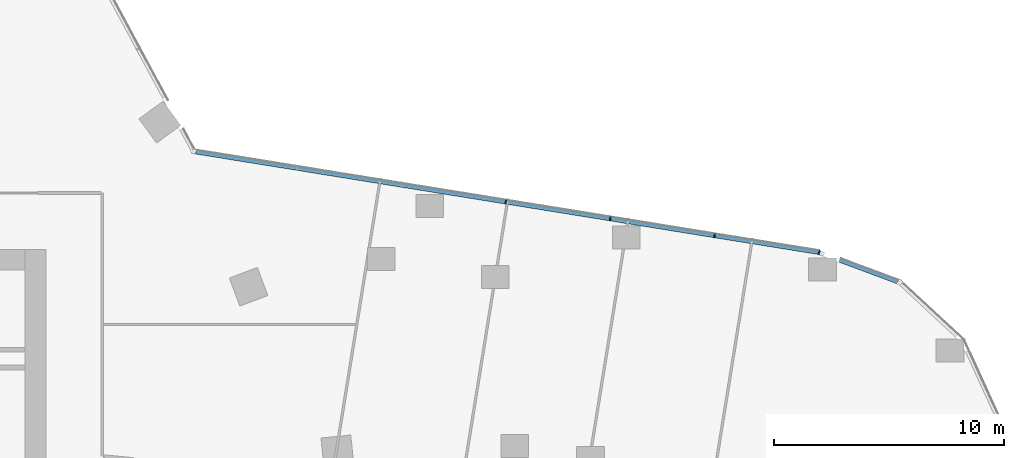
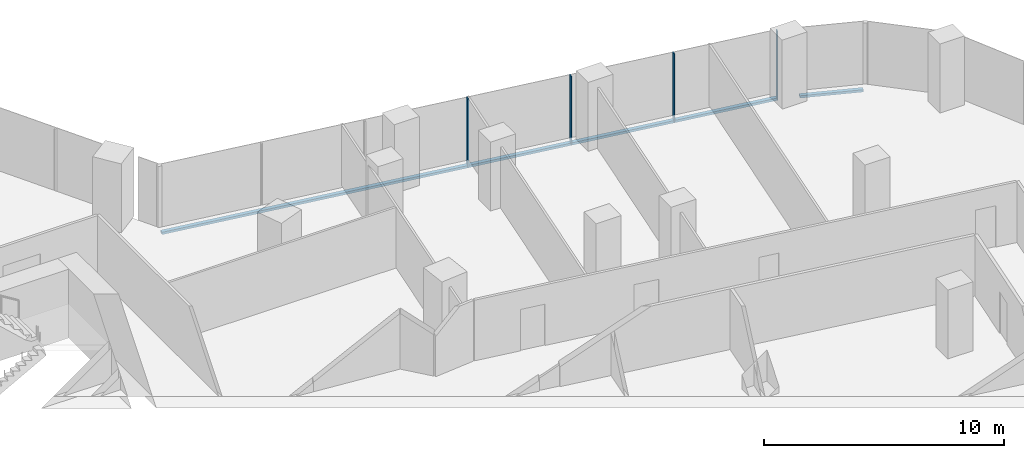
# One storey, part 14 of 34: 6 members, 2 elements without a shape of their own.
"""IFC4 building model written with IfcOpenShell, lengths in metres."""

from ifc_helpers import new_model, si_unit, direction, frame, origin, origin_2d, place, context, subcontext, project, spatial, rectangle, extrude, material, material_profile, profile_set, type_object, element, aggregate, save


model = new_model("IFC4")

# Units and contexts
model_context = context("Model", 3, precision=1e-05, world=origin(), true_north=direction((0.0, 1.0)))
body_context = subcontext(model_context, "Body", "Model", "MODEL_VIEW")
ifc_project = project(units=[si_unit("LENGTHUNIT", "METRE"), si_unit("AREAUNIT", "SQUARE_METRE"), si_unit("VOLUMEUNIT", "CUBIC_METRE"), si_unit("PLANEANGLEUNIT", "RADIAN"), si_unit("MASSUNIT", "GRAM", prefix="KILO")], contexts=[model_context])

# Site, building, storey
site_placement = place(None, origin())
site = spatial("IfcSite", under=ifc_project, at=site_placement, CompositionType="ELEMENT")
building_placement = place(site_placement, origin())
building = spatial("IfcBuilding", under=site, at=building_placement, Name="Orlundy Tower", CompositionType="ELEMENT")
storey_placement = place(building_placement, frame((0.0, 0.0, 127.199951171875)))
storey = spatial("IfcBuildingStorey", under=building, at=storey_placement, Name="L32", CompositionType="ELEMENT", Elevation=127.199951171875)

# Curtain wall, members
ifc_material_1 = material(Name="Aluminium bronze anodised", Category="aluminium")
curtain_wall_type = type_object("IfcCurtainWallType", Name="CW1 wall", PredefinedType="NOTDEFINED", material=ifc_material_1)
curtain_wall_1_placement = place(storey_placement, origin())
curtain_wall_1 = element("IfcCurtainWall", 1, at=curtain_wall_1_placement, inside=storey, type_object=curtain_wall_type, Name="CW1 run 06", PredefinedType="NOTDEFINED")
ifc_material_2 = material(Name="Aluminium bronze anodised", Category="aluminium")
ifc_material_profile_1 = material_profile(ifc_material_2, rectangle(XDim=0.179931640625, YDim=0.050048828125, at=origin_2d()), Name="CW1 mullion 50x180")
ifc_profile_set_1 = profile_set([ifc_material_profile_1], Name="Aluminium bronze anodised")
member_type_1 = type_object("IfcMemberType", Name="CW1 mullion 50x180", PredefinedType="MULLION", material=ifc_profile_set_1)
member_1_placement = place(storey_placement, frame((38.971923828125, 14.060791015625, -0.39990234375), z_axis=(0.0, 0.0, 1.0), x_axis=(0.159302095871, 0.987229883184, 0.0)))
member_1 = element("IfcMember", 2, at=member_1_placement, type_object=member_type_1, Name="CW1 mullion 29", PredefinedType="MULLION", context=body_context, shape_type="SweptSolid", body=[
    extrude(rectangle(XDim=0.179931640625, YDim=0.050048828125, at=origin_2d()), origin(), (0.0, 0.0, 1.0), 3.5),
])
member_2_placement = place(storey_placement, frame((43.501953125, 13.329833984375, -0.39990234375), z_axis=(0.0, 0.0, 1.0), x_axis=(0.159302095871, 0.987229883184, 0.0)))
member_2 = element("IfcMember", 3, at=member_2_placement, type_object=member_type_1, Name="CW1 mullion 30", PredefinedType="MULLION", context=body_context, shape_type="SweptSolid", body=[
    extrude(rectangle(XDim=0.179931640625, YDim=0.050048828125, at=origin_2d()), origin(), (0.0, 0.0, 1.0), 3.5),
])
member_3_placement = place(storey_placement, frame((48.0322265625, 12.598876953125, -0.39990234375), z_axis=(0.0, 0.0, 1.0), x_axis=(0.159302095871, 0.987229883184, 0.0)))
member_3 = element("IfcMember", 4, at=member_3_placement, type_object=member_type_1, Name="CW1 mullion 31", PredefinedType="MULLION", context=body_context, shape_type="SweptSolid", body=[
    extrude(rectangle(XDim=0.179931640625, YDim=0.050048828125, at=origin_2d()), origin(), (0.0, 0.0, 1.0), 3.5),
])

# Curtain wall, member
curtain_wall_2_placement = place(storey_placement, origin())
curtain_wall_2 = element("IfcCurtainWall", 5, at=curtain_wall_2_placement, inside=storey, type_object=curtain_wall_type, Name="CW1 run 07", PredefinedType="NOTDEFINED")
member_4_placement = place(storey_placement, frame((52.571044921875, 11.866455078125, -0.39990234375), z_axis=(0.0, 0.0, 1.0), x_axis=(0.255333702163, 0.96685298807, 0.0)))
member_4 = element("IfcMember", 6, at=member_4_placement, type_object=member_type_1, Name="CW1 mullion 32", PredefinedType="MULLION", context=body_context, shape_type="SweptSolid", body=[
    extrude(rectangle(XDim=0.179931640625, YDim=0.050048828125, at=origin_2d()), origin(), (0.0, 0.0, 1.0), 3.5),
])

# Member
ifc_material_3 = material(Name="Aluminium bronze anodised", Category="aluminium")
ifc_material_profile_2 = material_profile(ifc_material_3, rectangle(XDim=0.179931640625, YDim=0.1201171875, at=origin_2d()), Name="CW1 transom 180x120")
ifc_profile_set_2 = profile_set([ifc_material_profile_2], Name="Aluminium bronze anodised")
member_type_2 = type_object("IfcMemberType", Name="CW1 transom 180x120", PredefinedType="USERDEFINED", material=ifc_profile_set_2)
member_5_placement = place(storey_placement, frame((25.513916015625, 16.232421875, -0.33984375), z_axis=(0.987229724449, -0.159303079582, 0.0), x_axis=(0.159303079582, 0.987229724449, 0.0)))
member_5 = element("IfcMember", 7, at=member_5_placement, type_object=member_type_2, Name="CW1 transom", ObjectType="TRANSOM", PredefinedType="USERDEFINED", context=body_context, shape_type="SweptSolid", body=[
    extrude(rectangle(XDim=0.179931640625, YDim=0.1201171875, at=origin_2d()), origin(), (0.0, 0.0, 1.0), 27.382080078125),
])

aggregate(curtain_wall_1, [member_1, member_2, member_3, member_5])

member_6_placement = place(storey_placement, frame((53.465087890625, 11.53369140625, -0.33984375), z_axis=(0.937149851319, -0.348927150238, 0.0), x_axis=(0.348927150238, 0.937149851319, 0.0)))
member_6 = element("IfcMember", 8, at=member_6_placement, type_object=member_type_2, Name="CW1 transom", ObjectType="TRANSOM", PredefinedType="USERDEFINED", context=body_context, shape_type="SweptSolid", body=[
    extrude(rectangle(XDim=0.179931640625, YDim=0.1201171875, at=origin_2d()), origin(), (0.0, 0.0, 1.0), 2.68115234375),
])

aggregate(curtain_wall_2, [member_4, member_6])

save(model, "model.ifc")
